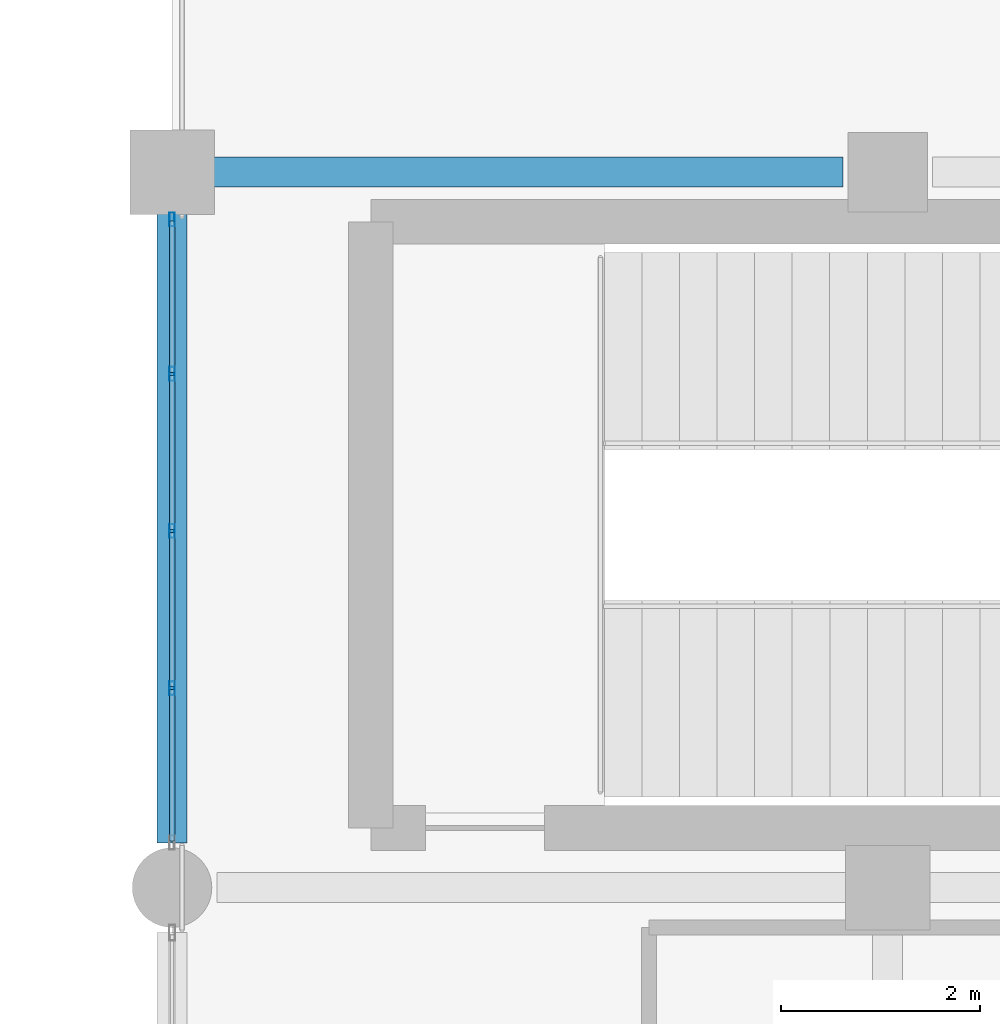
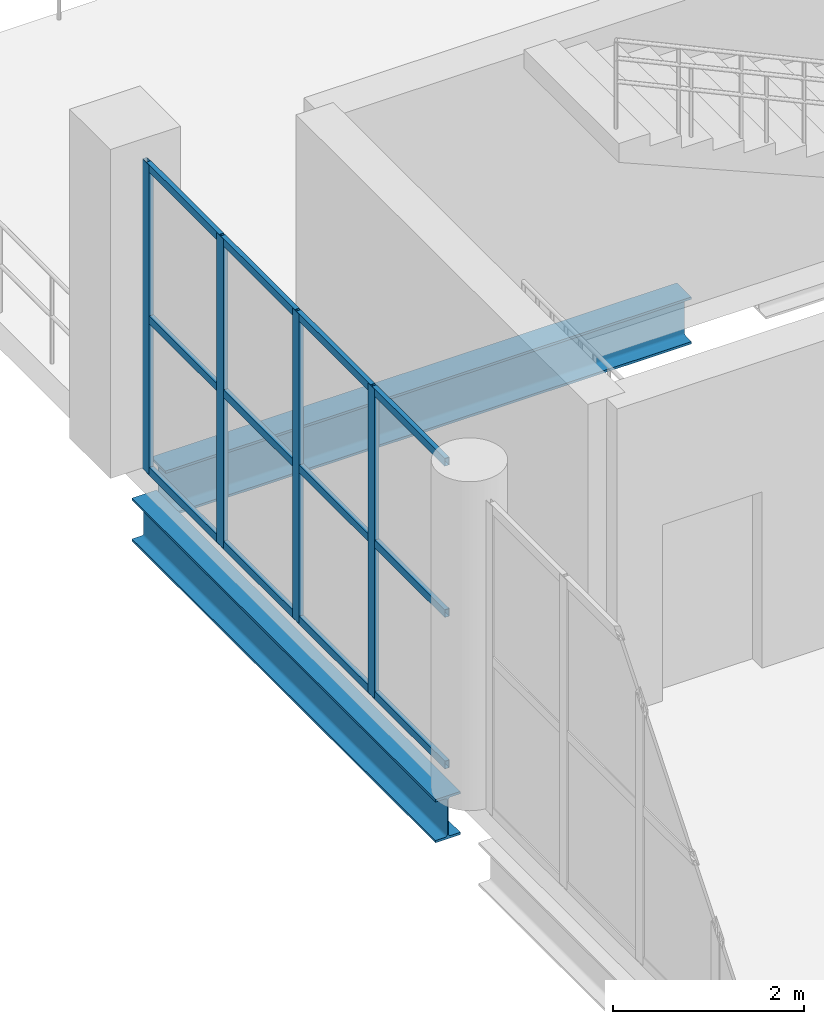
# One storey, part 82 of 153: 16 members, 2 beams, 1 element without a shape of its own.
"""IFC4 building model written with IfcOpenShell, lengths in metres."""

from ifc_helpers import new_model, si_unit, direction, frame, origin, origin_2d, place, context, subcontext, project, spatial, hollow_rectangle, i_section, extrude, material, material_profile, profile_set, type_object, element, aggregate, save


model = new_model("IFC4")

# Units and contexts
model_context = context("Model", 3, precision=1e-05, world=origin(), true_north=direction((0.0, 1.0)))
body_context = subcontext(model_context, "Body", "Model", "MODEL_VIEW")
ifc_project = project(units=[si_unit("LENGTHUNIT", "METRE"), si_unit("AREAUNIT", "SQUARE_METRE"), si_unit("VOLUMEUNIT", "CUBIC_METRE"), si_unit("PLANEANGLEUNIT", "RADIAN"), si_unit("MASSUNIT", "GRAM", prefix="KILO")], contexts=[model_context])

# Site, building, storey
site_placement = place(None, origin())
site = spatial("IfcSite", under=ifc_project, at=site_placement, CompositionType="ELEMENT")
building_placement = place(site_placement, origin())
building = spatial("IfcBuilding", under=site, at=building_placement, Name="Qandorah Velis Arena", CompositionType="ELEMENT")
storey_placement = place(building_placement, frame((0.0, 0.0, 5.39990234375)))
storey = spatial("IfcBuildingStorey", under=building, at=storey_placement, Name="L01", CompositionType="ELEMENT", Elevation=5.39990234375)

# Curtain wall, members
ifc_material_1 = material(Name="Solar-control low-E double glazing", Category="glass")
curtain_wall_type = type_object("IfcCurtainWallType", Name="ARC-CW-SYS04", PredefinedType="USERDEFINED", material=ifc_material_1)
curtain_wall_placement = place(storey_placement, origin())
curtain_wall = element("IfcCurtainWall", 1, at=curtain_wall_placement, inside=storey, type_object=curtain_wall_type, Name="Unitised curtain wall L01-124", ObjectType="UNITISED CURTAIN WALL", PredefinedType="USERDEFINED")
ifc_material_2 = material(Name="Champagne-bronze anodized aluminium 6063-T6", Category="aluminium")
ifc_material_profile_1 = material_profile(ifc_material_2, hollow_rectangle(XDim=0.054931640625, YDim=0.139892578125, WallThickness=0.0029296875, at=origin_2d()), Name="ALU MULLION 55x140")
ifc_profile_set_1 = profile_set([ifc_material_profile_1], Name="Champagne-bronze anodized aluminium 6063-T6")
member_type_1 = type_object("IfcMemberType", Name="ARC-CWM-140", PredefinedType="MULLION", material=ifc_profile_set_1)
member_1_placement = place(storey_placement, frame((151.199951171875, 81.206298828125, -0.014892578125), z_axis=(0.0, 0.0, 1.0), x_axis=(-1.0, 0.0, 0.0)))
member_1 = element("IfcMember", 2, at=member_1_placement, type_object=member_type_1, Name="CW04 mullion 2", PredefinedType="MULLION", context=body_context, shape_type="SweptSolid", body=[
    extrude(hollow_rectangle(XDim=0.054931640625, YDim=0.139892578125, WallThickness=0.0029296875, at=origin_2d()), origin(), (0.0, 0.0, 1.0), 3.949951171875),
])
member_2_placement = place(storey_placement, frame((151.199951171875, 82.78759765625, -0.014892578125), z_axis=(0.0, 0.0, 1.0), x_axis=(-1.0, 0.0, 0.0)))
member_2 = element("IfcMember", 3, at=member_2_placement, type_object=member_type_1, Name="CW04 mullion 3", PredefinedType="MULLION", context=body_context, shape_type="SweptSolid", body=[
    extrude(hollow_rectangle(XDim=0.054931640625, YDim=0.139892578125, WallThickness=0.0029296875, at=origin_2d()), origin(), (0.0, 0.0, 1.0), 3.949951171875),
])
member_3_placement = place(storey_placement, frame((151.199951171875, 84.36865234375, -0.014892578125), z_axis=(0.0, 0.0, 1.0), x_axis=(-1.0, 0.0, 0.0)))
member_3 = element("IfcMember", 4, at=member_3_placement, type_object=member_type_1, Name="CW04 mullion 4", PredefinedType="MULLION", context=body_context, shape_type="SweptSolid", body=[
    extrude(hollow_rectangle(XDim=0.054931640625, YDim=0.139892578125, WallThickness=0.0029296875, at=origin_2d()), origin(), (0.0, 0.0, 1.0), 3.949951171875),
])
member_4_placement = place(storey_placement, frame((151.199951171875, 85.922607421875, -0.014892578125), z_axis=(0.0, 0.0, 1.0), x_axis=(-1.0, 0.0, 0.0)))
member_4 = element("IfcMember", 5, at=member_4_placement, type_object=member_type_1, Name="CW04 mullion 5", PredefinedType="MULLION", context=body_context, shape_type="SweptSolid", body=[
    extrude(hollow_rectangle(XDim=0.054931640625, YDim=0.139892578125, WallThickness=0.0029296875, at=origin_2d()), origin(), (0.0, 0.0, 1.0), 3.949951171875),
])
ifc_material_profile_2 = material_profile(ifc_material_2, hollow_rectangle(XDim=0.054931640625, YDim=0.10009765625, WallThickness=0.0029296875, at=origin_2d()), Name="ALU TRANSOM 55x100")
ifc_profile_set_2 = profile_set([ifc_material_profile_2], Name="Champagne-bronze anodized aluminium 6063-T6")
member_type_2 = type_object("IfcMemberType", Name="ARC-CWT-100", PredefinedType="USERDEFINED", material=ifc_profile_set_2)
member_5_placement = place(storey_placement, frame((151.199951171875, 79.66796875, 0.027587890625), z_axis=(0.0, 1.0, 0.0), x_axis=(-1.0, 0.0, 0.0)))
member_5 = element("IfcMember", 6, at=member_5_placement, type_object=member_type_2, Name="CW04 transom 1.1", ObjectType="TRANSOM", PredefinedType="USERDEFINED", context=body_context, shape_type="SweptSolid", body=[
    extrude(hollow_rectangle(XDim=0.054931640625, YDim=0.10009765625, WallThickness=0.0029296875, at=origin_2d()), origin(), (0.0, 0.0, 1.0), 1.522705078125),
])
member_6_placement = place(storey_placement, frame((151.199951171875, 79.66796875, 1.960205078125), z_axis=(0.0, 1.0, 0.0), x_axis=(-1.0, 0.0, 0.0)))
member_6 = element("IfcMember", 7, at=member_6_placement, type_object=member_type_2, Name="CW04 transom 1.2", ObjectType="TRANSOM", PredefinedType="USERDEFINED", context=body_context, shape_type="SweptSolid", body=[
    extrude(hollow_rectangle(XDim=0.054931640625, YDim=0.10009765625, WallThickness=0.0029296875, at=origin_2d()), origin(), (0.0, 0.0, 1.0), 1.522705078125),
])
member_7_placement = place(storey_placement, frame((151.199951171875, 79.66796875, 3.892578125), z_axis=(0.0, 1.0, 0.0), x_axis=(-1.0, 0.0, 0.0)))
member_7 = element("IfcMember", 8, at=member_7_placement, type_object=member_type_2, Name="CW04 transom 1.3", ObjectType="TRANSOM", PredefinedType="USERDEFINED", context=body_context, shape_type="SweptSolid", body=[
    extrude(hollow_rectangle(XDim=0.054931640625, YDim=0.10009765625, WallThickness=0.0029296875, at=origin_2d()), origin(), (0.0, 0.0, 1.0), 1.522705078125),
])
member_8_placement = place(storey_placement, frame((151.199951171875, 81.2216796875, 0.027587890625), z_axis=(0.0, 1.0, 0.0), x_axis=(-1.0, 0.0, 0.0)))
member_8 = element("IfcMember", 9, at=member_8_placement, type_object=member_type_2, Name="CW04 transom 2.1", ObjectType="TRANSOM", PredefinedType="USERDEFINED", context=body_context, shape_type="SweptSolid", body=[
    extrude(hollow_rectangle(XDim=0.054931640625, YDim=0.10009765625, WallThickness=0.0029296875, at=origin_2d()), origin(), (0.0, 0.0, 1.0), 1.55029296875),
])
member_9_placement = place(storey_placement, frame((151.199951171875, 81.2216796875, 1.960205078125), z_axis=(0.0, 1.0, 0.0), x_axis=(-1.0, 0.0, 0.0)))
member_9 = element("IfcMember", 10, at=member_9_placement, type_object=member_type_2, Name="CW04 transom 2.2", ObjectType="TRANSOM", PredefinedType="USERDEFINED", context=body_context, shape_type="SweptSolid", body=[
    extrude(hollow_rectangle(XDim=0.054931640625, YDim=0.10009765625, WallThickness=0.0029296875, at=origin_2d()), origin(), (0.0, 0.0, 1.0), 1.55029296875),
])
member_10_placement = place(storey_placement, frame((151.199951171875, 81.2216796875, 3.892578125), z_axis=(0.0, 1.0, 0.0), x_axis=(-1.0, 0.0, 0.0)))
member_10 = element("IfcMember", 11, at=member_10_placement, type_object=member_type_2, Name="CW04 transom 2.3", ObjectType="TRANSOM", PredefinedType="USERDEFINED", context=body_context, shape_type="SweptSolid", body=[
    extrude(hollow_rectangle(XDim=0.054931640625, YDim=0.10009765625, WallThickness=0.0029296875, at=origin_2d()), origin(), (0.0, 0.0, 1.0), 1.55029296875),
])
member_11_placement = place(storey_placement, frame((151.199951171875, 82.802978515625, 0.027587890625), z_axis=(0.0, 1.0, 0.0), x_axis=(-1.0, 0.0, 0.0)))
member_11 = element("IfcMember", 12, at=member_11_placement, type_object=member_type_2, Name="CW04 transom 3.1", ObjectType="TRANSOM", PredefinedType="USERDEFINED", context=body_context, shape_type="SweptSolid", body=[
    extrude(hollow_rectangle(XDim=0.054931640625, YDim=0.10009765625, WallThickness=0.0029296875, at=origin_2d()), origin(), (0.0, 0.0, 1.0), 1.55029296875),
])
member_12_placement = place(storey_placement, frame((151.199951171875, 82.802978515625, 1.960205078125), z_axis=(0.0, 1.0, 0.0), x_axis=(-1.0, 0.0, 0.0)))
member_12 = element("IfcMember", 13, at=member_12_placement, type_object=member_type_2, Name="CW04 transom 3.2", ObjectType="TRANSOM", PredefinedType="USERDEFINED", context=body_context, shape_type="SweptSolid", body=[
    extrude(hollow_rectangle(XDim=0.054931640625, YDim=0.10009765625, WallThickness=0.0029296875, at=origin_2d()), origin(), (0.0, 0.0, 1.0), 1.55029296875),
])
member_13_placement = place(storey_placement, frame((151.199951171875, 82.802978515625, 3.892578125), z_axis=(0.0, 1.0, 0.0), x_axis=(-1.0, 0.0, 0.0)))
member_13 = element("IfcMember", 14, at=member_13_placement, type_object=member_type_2, Name="CW04 transom 3.3", ObjectType="TRANSOM", PredefinedType="USERDEFINED", context=body_context, shape_type="SweptSolid", body=[
    extrude(hollow_rectangle(XDim=0.054931640625, YDim=0.10009765625, WallThickness=0.0029296875, at=origin_2d()), origin(), (0.0, 0.0, 1.0), 1.55029296875),
])
member_14_placement = place(storey_placement, frame((151.199951171875, 84.38427734375, 0.027587890625), z_axis=(0.0, 1.0, 0.0), x_axis=(-1.0, 0.0, 0.0)))
member_14 = element("IfcMember", 15, at=member_14_placement, type_object=member_type_2, Name="CW04 transom 4.1", ObjectType="TRANSOM", PredefinedType="USERDEFINED", context=body_context, shape_type="SweptSolid", body=[
    extrude(hollow_rectangle(XDim=0.054931640625, YDim=0.10009765625, WallThickness=0.0029296875, at=origin_2d()), origin(), (0.0, 0.0, 1.0), 1.522705078125),
])
member_15_placement = place(storey_placement, frame((151.199951171875, 84.38427734375, 1.960205078125), z_axis=(0.0, 1.0, 0.0), x_axis=(-1.0, 0.0, 0.0)))
member_15 = element("IfcMember", 16, at=member_15_placement, type_object=member_type_2, Name="CW04 transom 4.2", ObjectType="TRANSOM", PredefinedType="USERDEFINED", context=body_context, shape_type="SweptSolid", body=[
    extrude(hollow_rectangle(XDim=0.054931640625, YDim=0.10009765625, WallThickness=0.0029296875, at=origin_2d()), origin(), (0.0, 0.0, 1.0), 1.522705078125),
])
member_16_placement = place(storey_placement, frame((151.199951171875, 84.38427734375, 3.892578125), z_axis=(0.0, 1.0, 0.0), x_axis=(-1.0, 0.0, 0.0)))
member_16 = element("IfcMember", 17, at=member_16_placement, type_object=member_type_2, Name="CW04 transom 4.3", ObjectType="TRANSOM", PredefinedType="USERDEFINED", context=body_context, shape_type="SweptSolid", body=[
    extrude(hollow_rectangle(XDim=0.054931640625, YDim=0.10009765625, WallThickness=0.0029296875, at=origin_2d()), origin(), (0.0, 0.0, 1.0), 1.522705078125),
])
aggregate(curtain_wall, [member_1, member_2, member_3, member_4, member_5, member_6, member_7, member_8, member_9, member_10, member_11, member_12, member_13, member_14, member_15, member_16])

# Beams
ifc_material_3 = material(Name="Steel S355", Category="steel")
ifc_material_profile_3 = material_profile(ifc_material_3, i_section(OverallWidth=0.300048828125, OverallDepth=0.550048828125, WebThickness=0.014892578125, FlangeThickness=0.029052734375, FilletRadius=0.027099609375, at=origin_2d()), Name="HEB 550")
ifc_profile_set_3 = profile_set([ifc_material_profile_3], Name="Steel S355")
beam_type_1 = type_object("IfcBeamType", Name="STR-BM-HEB550", PredefinedType="BEAM", material=ifc_profile_set_3)
beam_1_placement = place(storey_placement, frame((151.199951171875, 79.64990234375, -0.635009765625), z_axis=(0.0, 1.0, 0.0), x_axis=(-1.0, 0.0, 0.0)))
element("IfcBeam", 18, at=beam_1_placement, inside=storey, type_object=beam_type_1, Name="Primary floor girder L01 Y-412", PredefinedType="BEAM", context=body_context, shape_type="SweptSolid", body=[
    extrude(i_section(OverallWidth=0.300048828125, OverallDepth=0.550048828125, WebThickness=0.014892578125, FlangeThickness=0.029052734375, FilletRadius=0.027099609375, at=origin_2d()), origin(), (0.0, 0.0, 1.0), 6.35009765625),
])
ifc_material_profile_4 = material_profile(ifc_material_3, i_section(OverallWidth=0.300048828125, OverallDepth=0.60009765625, WebThickness=0.015380859375, FlangeThickness=0.030029296875, FilletRadius=0.027099609375, at=origin_2d()), Name="HEB 600")
ifc_profile_set_4 = profile_set([ifc_material_profile_4], Name="Steel S355")
beam_type_2 = type_object("IfcBeamType", Name="STR-BM-HEB600", PredefinedType="BEAM", material=ifc_profile_set_4)
beam_2_placement = place(storey_placement, frame((151.60009765625, 86.39990234375, -0.659912109375), z_axis=(1.0, 0.0, 0.0), x_axis=(0.0, 1.0, 0.0)))
element("IfcBeam", 19, at=beam_2_placement, inside=storey, type_object=beam_type_2, Name="Primary floor girder L01 X-134", PredefinedType="BEAM", context=body_context, shape_type="SweptSolid", body=[
    extrude(i_section(OverallWidth=0.300048828125, OverallDepth=0.60009765625, WebThickness=0.015380859375, FlangeThickness=0.030029296875, FilletRadius=0.027099609375, at=origin_2d()), origin(), (0.0, 0.0, 1.0), 6.349853515625),
])

save(model, "model.ifc")
